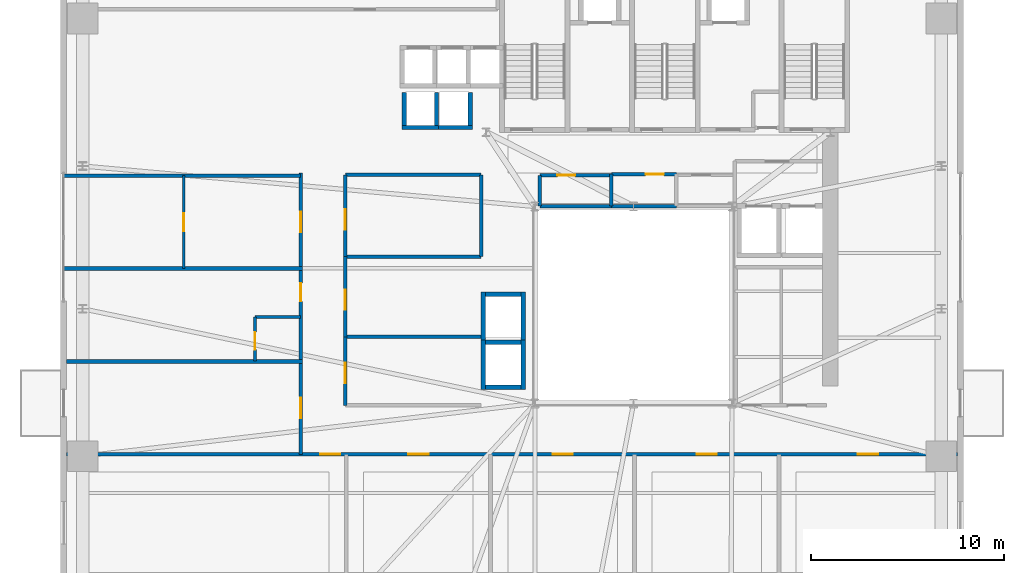
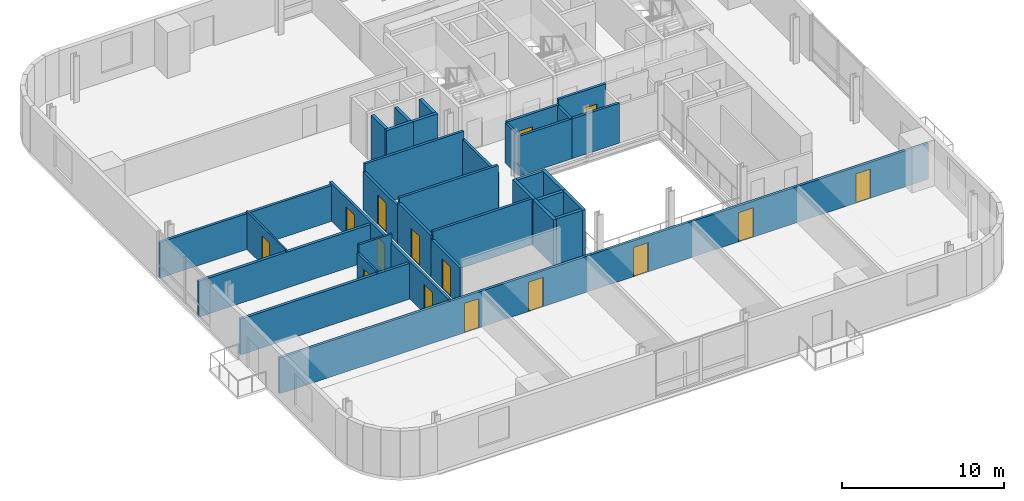
# One storey, part 6 of 13: 33 walls, 15 doors, 15 openings.
"""IFC4 building model written with IfcOpenShell, lengths in metres."""

from ifc_helpers import new_model, si_unit, direction, frame, frame_2d, origin, place, context, subcontext, project, spatial, rectangle, extrude, source, transform, mapped, material, layer, layer_set, type_object, element, fill, save


model = new_model("IFC4")

# Units and contexts
model_context = context("Model", 3, precision=1e-05, world=origin(), true_north=direction((0.0, 1.0)))
body_context = subcontext(model_context, "Body", "Model", "MODEL_VIEW")
ifc_project = project(units=[si_unit("LENGTHUNIT", "METRE"), si_unit("AREAUNIT", "SQUARE_METRE"), si_unit("VOLUMEUNIT", "CUBIC_METRE"), si_unit("PLANEANGLEUNIT", "RADIAN"), si_unit("MASSUNIT", "GRAM", prefix="KILO")], contexts=[model_context])

# Site, building, storey
site_placement = place(None, origin())
site = spatial("IfcSite", under=ifc_project, at=site_placement, CompositionType="ELEMENT")
building_placement = place(site_placement, origin())
building = spatial("IfcBuilding", under=site, at=building_placement, Name="Vardaveli Station Tower", CompositionType="ELEMENT")
storey_placement = place(building_placement, frame((0.0, 0.0, 115.0)))
storey = spatial("IfcBuildingStorey", under=building, at=storey_placement, Name="L29", CompositionType="ELEMENT", Elevation=115.0)

# Walls
ifc_material_1 = material(Name="Concrete C40/50", Category="concrete")
ifc_layer_1 = layer(ifc_material_1, 0.219970703125, Name="Concrete C40/50")
ifc_layer_set_1 = layer_set([ifc_layer_1], Name="Concrete C40/50")
wall_type_1 = type_object("IfcWallType", Name="WAL-FFLOBBY-220", PredefinedType="SOLIDWALL", material=ifc_layer_set_1)
shared_shape_1 = source(origin(), body_context, "Body", "SweptSolid", [
    extrude(rectangle(XDim=1.89013671875, YDim=0.219970703125, at=frame_2d((0.945068359375, 0.0))), origin(), (0.0, 0.0, 1.0), 3.4599609375),
])
for number, where, z_axis, x_axis, name in (
    (1, (24.304931640625, 30.889892578125, 0.0), (0.0, 0.0, 1.0), (1.0, 0.0, 0.0), "SHW-SHU-01-L29-S"),
    (2, (26.054931640625, 30.889892578125, 0.0), (0.0, 0.0, 1.0), (1.0, 0.0, 0.0), "SHW-SHU-02-L29-S"),
):
    element("IfcWall", number, at=place(storey_placement, frame(where, z_axis=z_axis, x_axis=x_axis)), inside=storey, type_object=wall_type_1, Name=name, PredefinedType="SOLIDWALL", context=body_context, shape_type="MappedRepresentation", body=[
        mapped(shared_shape_1, transform((0.0, 0.0, 0.0), scale=1.0)),
    ])
shared_shape_2 = source(origin(), body_context, "Body", "SweptSolid", [
    extrude(rectangle(XDim=1.699951171875, YDim=0.219970703125, at=frame_2d((0.85009765625, 0.0))), origin(), (0.0, 0.0, 1.0), 3.4599609375),
])
for number, where, z_axis, x_axis, name in (
    (3, (24.4150390625, 31.0, 0.0), (0.0, 0.0, 1.0), (0.0, 1.0, 0.0), "SHW-SHU-01-L29-W"),
    (4, (26.0849609375, 31.0, 0.0), (0.0, 0.0, 1.0), (0.0, 1.0, 0.0), "SHW-SHU-01-L29-E"),
    (5, (27.8349609375, 31.0, 0.0), (0.0, 0.0, 1.0), (0.0, 1.0, 0.0), "SHW-SHU-02-L29-E"),
):
    element("IfcWall", number, at=place(storey_placement, frame(where, z_axis=z_axis, x_axis=x_axis)), inside=storey, type_object=wall_type_1, Name=name, PredefinedType="SOLIDWALL", context=body_context, shape_type="MappedRepresentation", body=[
        mapped(shared_shape_2, transform((0.0, 0.0, 0.0), scale=1.0)),
    ])
shared_shape_3 = source(origin(), body_context, "Body", "SweptSolid", [
    extrude(rectangle(XDim=1.85009765625, YDim=0.219970703125, at=frame_2d((0.925048828125, 0.0))), origin(), (0.0, 0.0, 1.0), 3.4599609375),
])
for number, where, z_axis, x_axis, name in (
    (6, (28.625, 17.43994140625, 0.0), (0.0, 0.0, 1.0), (1.0, 0.0, 0.0), "SHW-OBS-01-L29-S"),
    (7, (28.625, 19.760009765625, 0.0), (0.0, 0.0, 1.0), (1.0, 0.0, 0.0), "SHW-OBS-01-L29-N"),
    (8, (28.625, 22.260009765625, 0.0), (0.0, 0.0, 1.0), (1.0, 0.0, 0.0), "SHW-OBS-02-L29-N"),
):
    element("IfcWall", number, at=place(storey_placement, frame(where, z_axis=z_axis, x_axis=x_axis)), inside=storey, type_object=wall_type_1, Name=name, PredefinedType="SOLIDWALL", context=body_context, shape_type="MappedRepresentation", body=[
        mapped(shared_shape_3, transform((0.0, 0.0, 0.0), scale=1.0)),
    ])
shared_shape_4 = source(origin(), body_context, "Body", "SweptSolid", [
    extrude(rectangle(XDim=2.5400390625, YDim=0.219970703125, at=frame_2d((1.27001953125, 0.0))), origin(), (0.0, 0.0, 1.0), 3.4599609375),
])
for number, where, z_axis, x_axis, name in (
    (9, (28.514892578125, 17.330078125, 0.0), (0.0, 0.0, 1.0), (0.0, 1.0, 0.0), "SHW-OBS-01-L29-W"),
    (10, (30.5849609375, 17.330078125, 0.0), (0.0, 0.0, 1.0), (0.0, 1.0, 0.0), "SHW-OBS-01-L29-E"),
    (11, (28.514892578125, 19.830078125, 0.0), (0.0, 0.0, 1.0), (0.0, 1.0, 0.0), "SHW-OBS-02-L29-W"),
    (12, (30.5849609375, 19.830078125, 0.0), (0.0, 0.0, 1.0), (0.0, 1.0, 0.0), "SHW-OBS-02-L29-E"),
):
    element("IfcWall", number, at=place(storey_placement, frame(where, z_axis=z_axis, x_axis=x_axis)), inside=storey, type_object=wall_type_1, Name=name, PredefinedType="SOLIDWALL", context=body_context, shape_type="MappedRepresentation", body=[
        mapped(shared_shape_4, transform((0.0, 0.0, 0.0), scale=1.0)),
    ])

# Wall, openings, doors
ifc_material_2 = material(Name="Fire-rated gypsum stud partition")
ifc_layer_2 = layer(ifc_material_2, 0.179931640625, Name="Fire-rated gypsum stud partition")
ifc_layer_set_2 = layer_set([ifc_layer_2], Name="Fire-rated gypsum stud partition")
wall_type_2 = type_object("IfcWallType", Name="WAL-CORR-180", PredefinedType="PARTITIONING", material=ifc_layer_set_2)
shared_shape_5 = source(origin(), body_context, "Body", "SweptSolid", [
    extrude(rectangle(XDim=46.15576171875, YDim=0.179931640625, at=frame_2d((23.077880859375, 0.0))), origin(), (0.0, 0.0, 1.0), 2.701904296875),
])
wall_1_placement = place(storey_placement, frame((6.922119140625, 13.949951171875, 0.0), z_axis=(0.0, 0.0, 1.0), x_axis=(1.0, 0.0, 0.0)))
wall_1 = element("IfcWall", 13, at=wall_1_placement, inside=storey, type_object=wall_type_2, Name="W-L29-CS", PredefinedType="PARTITIONING", context=body_context, shape_type="MappedRepresentation", body=[
    mapped(shared_shape_5, transform((0.0, 0.0, 0.0), scale=1.0)),
])
shared_shape_6 = source(origin(), body_context, "Body", "SweptSolid", [
    extrude(rectangle(XDim=1.050048828125, YDim=2.199951171875, at=frame_2d((0.52490234375, 1.10009765625))), frame((0.0, 0.10009765625, 0.0), z_axis=(0.0, -1.0, 0.0), x_axis=(1.0, 0.0, 0.0)), (0.0, 0.0, 1.0), 0.199951171875),
])
opening_1_placement = place(wall_1_placement, frame((13.137939453125, 0.0, 0.0)))
opening_1 = element("IfcOpeningElement", 14, at=opening_1_placement, cuts=wall_1, Name="Opening D-05", PredefinedType="OPENING", context=body_context, shape_type="MappedRepresentation", body=[
    mapped(shared_shape_6, transform((0.0, 0.0, 0.0), scale=1.0)),
])
opening_2_placement = place(wall_1_placement, frame((17.70458984375, 0.0, 0.0)))
opening_2 = element("IfcOpeningElement", 15, at=opening_2_placement, cuts=wall_1, Name="Opening D-05", PredefinedType="OPENING", context=body_context, shape_type="MappedRepresentation", body=[
    mapped(shared_shape_6, transform((0.0, 0.0, 0.0), scale=1.0)),
])
opening_3_placement = place(wall_1_placement, frame((25.177978515625, 0.0, 0.0)))
opening_3 = element("IfcOpeningElement", 16, at=opening_3_placement, cuts=wall_1, Name="Opening D-05", PredefinedType="OPENING", context=body_context, shape_type="MappedRepresentation", body=[
    mapped(shared_shape_6, transform((0.0, 0.0, 0.0), scale=1.0)),
])
opening_4_placement = place(wall_1_placement, frame((32.6513671875, 0.0, 0.0)))
opening_4 = element("IfcOpeningElement", 17, at=opening_4_placement, cuts=wall_1, Name="Opening D-05", PredefinedType="OPENING", context=body_context, shape_type="MappedRepresentation", body=[
    mapped(shared_shape_6, transform((0.0, 0.0, 0.0), scale=1.0)),
])
opening_5_placement = place(wall_1_placement, frame((40.998046875, 0.0, 0.0)))
opening_5 = element("IfcOpeningElement", 18, at=opening_5_placement, cuts=wall_1, Name="Opening D-05", PredefinedType="OPENING", context=body_context, shape_type="MappedRepresentation", body=[
    mapped(shared_shape_6, transform((0.0, 0.0, 0.0), scale=1.0)),
])
ifc_material_3 = material(Name="Walnut veneer acoustic fire door")
door_type_1 = type_object("IfcDoorType", Name="DR-SUITE-1050x2200", OperationType="NOTDEFINED", PredefinedType="DOOR", material=ifc_material_3)
shared_shape_7 = source(origin(), body_context, "Body", "SweptSolid", [
    extrude(rectangle(XDim=1.050048828125, YDim=2.199951171875, at=frame_2d((0.52490234375, 1.10009765625))), frame((0.0, 0.02490234375, 0.0), z_axis=(0.0, -1.0, 0.0), x_axis=(1.0, 0.0, 0.0)), (0.0, 0.0, 1.0), 0.050048828125),
])
door_1_placement = place(opening_1_placement, origin())
door_1 = element("IfcDoor", 19, at=door_1_placement, inside=storey, type_object=door_type_1, Name="D-L29-SA1", OperationType="SINGLE_SWING_RIGHT", OverallHeight=2.199951171875, OverallWidth=1.050048828125, PredefinedType="DOOR", context=body_context, shape_type="MappedRepresentation", body=[
    mapped(shared_shape_7, transform((0.0, 0.0, 0.0), scale=1.0)),
])
fill(opening_1, door_1)
door_2_placement = place(opening_2_placement, origin())
door_2 = element("IfcDoor", 20, at=door_2_placement, inside=storey, type_object=door_type_1, Name="D-L29-SA2", OperationType="SINGLE_SWING_LEFT", OverallHeight=2.199951171875, OverallWidth=1.050048828125, PredefinedType="DOOR", context=body_context, shape_type="MappedRepresentation", body=[
    mapped(shared_shape_7, transform((0.0, 0.0, 0.0), scale=1.0)),
])
fill(opening_2, door_2)
door_3_placement = place(opening_3_placement, origin())
door_3 = element("IfcDoor", 21, at=door_3_placement, inside=storey, type_object=door_type_1, Name="D-L29-SA3", OperationType="SINGLE_SWING_RIGHT", OverallHeight=2.199951171875, OverallWidth=1.050048828125, PredefinedType="DOOR", context=body_context, shape_type="MappedRepresentation", body=[
    mapped(shared_shape_7, transform((0.0, 0.0, 0.0), scale=1.0)),
])
fill(opening_3, door_3)
door_4_placement = place(opening_4_placement, origin())
door_4 = element("IfcDoor", 22, at=door_4_placement, inside=storey, type_object=door_type_1, Name="D-L29-SA4", OperationType="SINGLE_SWING_LEFT", OverallHeight=2.199951171875, OverallWidth=1.050048828125, PredefinedType="DOOR", context=body_context, shape_type="MappedRepresentation", body=[
    mapped(shared_shape_7, transform((0.0, 0.0, 0.0), scale=1.0)),
])
fill(opening_4, door_4)
door_5_placement = place(opening_5_placement, origin())
door_5 = element("IfcDoor", 23, at=door_5_placement, inside=storey, type_object=door_type_1, Name="D-L29-SA5", OperationType="SINGLE_SWING_RIGHT", OverallHeight=2.199951171875, OverallWidth=1.050048828125, PredefinedType="DOOR", context=body_context, shape_type="MappedRepresentation", body=[
    mapped(shared_shape_7, transform((0.0, 0.0, 0.0), scale=1.0)),
])
fill(opening_5, door_5)

# Wall
ifc_material_4 = material(Name="Moisture-resistant stud partition")
ifc_layer_3 = layer(ifc_material_4, 0.14990234375, Name="Moisture-resistant stud partition")
ifc_layer_set_3 = layer_set([ifc_layer_3], Name="Moisture-resistant stud partition")
wall_type_3 = type_object("IfcWallType", Name="WAL-WET-150", PredefinedType="PARTITIONING", material=ifc_layer_set_3)
shared_shape_8 = source(origin(), body_context, "Body", "SweptSolid", [
    extrude(rectangle(XDim=2.360107421875, YDim=0.14990234375, at=frame_2d((1.18017578125, 0.0))), origin(), (0.0, 0.0, 1.0), 3.4599609375),
])
wall_2_placement = place(storey_placement, frame((16.679931640625, 21.076904296875, 0.0), z_axis=(0.0, 0.0, 1.0), x_axis=(1.0, 0.0, 0.0)))
element("IfcWall", 24, at=wall_2_placement, inside=storey, type_object=wall_type_3, Name="W-L29-BW2-N", PredefinedType="PARTITIONING", context=body_context, shape_type="MappedRepresentation", body=[
    mapped(shared_shape_8, transform((0.0, 0.0, 0.0), scale=1.0)),
])

# Wall, openings, doors
shared_shape_9 = source(origin(), body_context, "Body", "SweptSolid", [
    extrude(rectangle(XDim=14.60009765625, YDim=0.179931640625, at=frame_2d((7.300048828125, 0.0))), origin(), (0.0, 0.0, 1.0), 2.85205078125),
])
wall_3_placement = place(storey_placement, frame((19.0400390625, 13.949951171875, 0.0), z_axis=(0.0, 0.0, 1.0), x_axis=(0.0, 1.0, 0.0)))
wall_3 = element("IfcWall", 25, at=wall_3_placement, inside=storey, type_object=wall_type_2, Name="W-L29-CW", PredefinedType="PARTITIONING", context=body_context, shape_type="MappedRepresentation", body=[
    mapped(shared_shape_9, transform((0.0, 0.0, 0.0), scale=1.0)),
])
opening_6_placement = place(wall_3_placement, frame((1.888427734375, 0.0, 0.0)))
opening_6 = element("IfcOpeningElement", 26, at=opening_6_placement, cuts=wall_3, Name="Opening D-05", PredefinedType="OPENING", context=body_context, shape_type="MappedRepresentation", body=[
    mapped(shared_shape_6, transform((0.0, 0.0, 0.0), scale=1.0)),
])
shared_shape_10 = source(origin(), body_context, "Body", "SweptSolid", [
    extrude(rectangle(XDim=0.949951171875, YDim=2.14990234375, at=frame_2d((0.47509765625, 1.074951171875))), frame((0.0, 0.10009765625, 0.0), z_axis=(0.0, -1.0, 0.0), x_axis=(1.0, 0.0, 0.0)), (0.0, 0.0, 1.0), 0.199951171875),
])
opening_7_placement = place(wall_3_placement, frame((7.929931640625, 0.0, 0.0)))
opening_7 = element("IfcOpeningElement", 27, at=opening_7_placement, cuts=wall_3, Name="Opening D-06", PredefinedType="OPENING", context=body_context, shape_type="MappedRepresentation", body=[
    mapped(shared_shape_10, transform((0.0, 0.0, 0.0), scale=1.0)),
])
opening_8_placement = place(wall_3_placement, frame((11.521728515625, 0.0, 0.0)))
opening_8 = element("IfcOpeningElement", 28, at=opening_8_placement, cuts=wall_3, Name="Opening D-05", PredefinedType="OPENING", context=body_context, shape_type="MappedRepresentation", body=[
    mapped(shared_shape_6, transform((0.0, 0.0, 0.0), scale=1.0)),
])
door_6_placement = place(opening_6_placement, origin())
door_6 = element("IfcDoor", 29, at=door_6_placement, inside=storey, type_object=door_type_1, Name="D-L29-GW1", OperationType="SINGLE_SWING_LEFT", OverallHeight=2.199951171875, OverallWidth=1.050048828125, PredefinedType="DOOR", context=body_context, shape_type="MappedRepresentation", body=[
    mapped(shared_shape_7, transform((0.0, 0.0, 0.0), scale=1.0)),
])
fill(opening_6, door_6)
door_7_placement = place(opening_8_placement, origin())
door_7 = element("IfcDoor", 30, at=door_7_placement, inside=storey, type_object=door_type_1, Name="D-L29-GW3", OperationType="SINGLE_SWING_LEFT", OverallHeight=2.199951171875, OverallWidth=1.050048828125, PredefinedType="DOOR", context=body_context, shape_type="MappedRepresentation", body=[
    mapped(shared_shape_7, transform((0.0, 0.0, 0.0), scale=1.0)),
])
fill(opening_8, door_7)
ifc_material_5 = material(Name="Oak veneer acoustic fire door")
door_type_2 = type_object("IfcDoorType", Name="DR-GUEST-950x2150", OperationType="NOTDEFINED", PredefinedType="DOOR", material=ifc_material_5)
shared_shape_11 = source(origin(), body_context, "Body", "SweptSolid", [
    extrude(rectangle(XDim=0.949951171875, YDim=2.14990234375, at=frame_2d((0.47509765625, 1.074951171875))), frame((0.0, 0.02490234375, 0.0), z_axis=(0.0, -1.0, 0.0), x_axis=(1.0, 0.0, 0.0)), (0.0, 0.0, 1.0), 0.050048828125),
])
door_8_placement = place(opening_7_placement, origin())
door_8 = element("IfcDoor", 31, at=door_8_placement, inside=storey, type_object=door_type_2, Name="D-L29-GW2", OperationType="SINGLE_SWING_RIGHT", OverallHeight=2.14990234375, OverallWidth=0.949951171875, PredefinedType="DOOR", context=body_context, shape_type="MappedRepresentation", body=[
    mapped(shared_shape_11, transform((0.0, 0.0, 0.0), scale=1.0)),
])
fill(opening_7, door_8)

# Wall, opening, door
ifc_material_6 = material(Name="Gypsum board stud partition")
ifc_layer_4 = layer(ifc_material_6, 0.125, Name="Gypsum board stud partition")
ifc_layer_set_4 = layer_set([ifc_layer_4], Name="Gypsum board stud partition")
wall_type_4 = type_object("IfcWallType", Name="WAL-INT-125", PredefinedType="PARTITIONING", material=ifc_layer_set_4)
shared_shape_12 = source(origin(), body_context, "Body", "SweptSolid", [
    extrude(rectangle(XDim=4.81689453125, YDim=0.125, at=frame_2d((2.408447265625, 0.0))), origin(), (0.0, 0.0, 1.0), 2.85205078125),
])
wall_4_placement = place(storey_placement, frame((12.9951171875, 23.5830078125, 0.0), z_axis=(0.0, 0.0, 1.0), x_axis=(0.0, 1.0, 0.0)))
wall_4 = element("IfcWall", 32, at=wall_4_placement, inside=storey, type_object=wall_type_4, Name="W-L29-WCM3", PredefinedType="PARTITIONING", context=body_context, shape_type="MappedRepresentation", body=[
    mapped(shared_shape_12, transform((0.0, 0.0, 0.0), scale=1.0)),
])
shared_shape_13 = source(origin(), body_context, "Body", "SweptSolid", [
    extrude(rectangle(XDim=0.949951171875, YDim=2.14990234375, at=frame_2d((0.47509765625, 1.074951171875))), frame((0.0, 0.072509765625, 0.0), z_axis=(0.0, -1.0, 0.0), x_axis=(1.0, 0.0, 0.0)), (0.0, 0.0, 1.0), 0.14501953125),
])
opening_9_placement = place(wall_4_placement, frame((1.92822265625, 0.0, 0.0)))
opening_9 = element("IfcOpeningElement", 33, at=opening_9_placement, cuts=wall_4, Name="Opening D-11", PredefinedType="OPENING", context=body_context, shape_type="MappedRepresentation", body=[
    mapped(shared_shape_13, transform((0.0, 0.0, 0.0), scale=1.0)),
])
ifc_material_7 = material(Name="Oak veneer internal suite door")
door_type_3 = type_object("IfcDoorType", Name="DR-INT-950x2150", OperationType="NOTDEFINED", PredefinedType="DOOR", material=ifc_material_7)
door_9_placement = place(opening_9_placement, origin())
door_9 = element("IfcDoor", 34, at=door_9_placement, inside=storey, type_object=door_type_3, Name="D-L29-GWF3", OperationType="SINGLE_SWING_RIGHT", OverallHeight=2.14990234375, OverallWidth=0.949951171875, PredefinedType="DOOR", context=body_context, shape_type="MappedRepresentation", body=[
    mapped(shared_shape_11, transform((0.0, 0.0, 0.0), scale=1.0)),
])
fill(opening_9, door_9)

shared_shape_14 = source(origin(), body_context, "Body", "SweptSolid", [
    extrude(rectangle(XDim=4.239990234375, YDim=0.179931640625, at=frame_2d((2.1201171875, 0.0))), origin(), (0.0, 0.0, 1.0), 2.85205078125),
])
wall_5_placement = place(storey_placement, frame((21.360107421875, 24.199951171875, 0.0), z_axis=(0.0, 0.0, 1.0), x_axis=(0.0, 1.0, 0.0)))
wall_5 = element("IfcWall", 35, at=wall_5_placement, inside=storey, type_object=wall_type_2, Name="W-L29-ATWC-W", PredefinedType="PARTITIONING", context=body_context, shape_type="MappedRepresentation", body=[
    mapped(shared_shape_14, transform((0.0, 0.0, 0.0), scale=1.0)),
])
opening_10_placement = place(wall_5_placement, frame((1.39990234375, 0.0, 0.0)))
opening_10 = element("IfcOpeningElement", 36, at=opening_10_placement, cuts=wall_5, Name="Opening D-05", PredefinedType="OPENING", context=body_context, shape_type="MappedRepresentation", body=[
    mapped(shared_shape_6, transform((0.0, 0.0, 0.0), scale=1.0)),
])
door_10_placement = place(opening_10_placement, origin())
door_10 = element("IfcDoor", 37, at=door_10_placement, inside=storey, type_object=door_type_1, Name="D-L29-ATW3", OperationType="SINGLE_SWING_RIGHT", OverallHeight=2.199951171875, OverallWidth=1.050048828125, PredefinedType="DOOR", context=body_context, shape_type="MappedRepresentation", body=[
    mapped(shared_shape_7, transform((0.0, 0.0, 0.0), scale=1.0)),
])
fill(opening_10, door_10)

# Wall
wall_6_placement = place(storey_placement, frame((28.39990234375, 24.199951171875, 0.0), z_axis=(0.0, 0.0, 1.0), x_axis=(0.0, 1.0, 0.0)))
element("IfcWall", 38, at=wall_6_placement, inside=storey, type_object=wall_type_2, Name="W-L29-ATWC-E", PredefinedType="PARTITIONING", context=body_context, shape_type="MappedRepresentation", body=[
    mapped(shared_shape_14, transform((0.0, 0.0, 0.0), scale=1.0)),
])

# Wall, opening, door
shared_shape_15 = source(origin(), body_context, "Body", "SweptSolid", [
    extrude(rectangle(XDim=4.14990234375, YDim=0.179931640625, at=frame_2d((2.074951171875, 0.0))), origin(), (0.0, 0.0, 1.0), 3.1220703125),
])
wall_7_placement = place(storey_placement, frame((21.360107421875, 20.050048828125, 0.0), z_axis=(0.0, 0.0, 1.0), x_axis=(0.0, 1.0, 0.0)))
wall_7 = element("IfcWall", 39, at=wall_7_placement, inside=storey, type_object=wall_type_2, Name="W-L29-ATWB-W", PredefinedType="PARTITIONING", context=body_context, shape_type="MappedRepresentation", body=[
    mapped(shared_shape_15, transform((0.0, 0.0, 0.0), scale=1.0)),
])
opening_11_placement = place(wall_7_placement, frame((1.39990234375, 0.0, 0.0)))
opening_11 = element("IfcOpeningElement", 40, at=opening_11_placement, cuts=wall_7, Name="Opening D-05", PredefinedType="OPENING", context=body_context, shape_type="MappedRepresentation", body=[
    mapped(shared_shape_6, transform((0.0, 0.0, 0.0), scale=1.0)),
])
door_11_placement = place(opening_11_placement, origin())
door_11 = element("IfcDoor", 41, at=door_11_placement, inside=storey, type_object=door_type_1, Name="D-L29-ATW2", OperationType="SINGLE_SWING_LEFT", OverallHeight=2.199951171875, OverallWidth=1.050048828125, PredefinedType="DOOR", context=body_context, shape_type="MappedRepresentation", body=[
    mapped(shared_shape_7, transform((0.0, 0.0, 0.0), scale=1.0)),
])
fill(opening_11, door_11)

shared_shape_16 = source(origin(), body_context, "Body", "SweptSolid", [
    extrude(rectangle(XDim=3.699951171875, YDim=0.179931640625, at=frame_2d((1.85009765625, 0.0))), origin(), (0.0, 0.0, 1.0), 3.092041015625),
])
wall_8_placement = place(storey_placement, frame((31.449951171875, 28.419921875, 0.0), z_axis=(0.0, 0.0, 1.0), x_axis=(1.0, 0.0, 0.0)))
wall_8 = element("IfcWall", 42, at=wall_8_placement, inside=storey, type_object=wall_type_2, Name="W-L29-CS2A-N", PredefinedType="PARTITIONING", context=body_context, shape_type="MappedRepresentation", body=[
    mapped(shared_shape_16, transform((0.0, 0.0, 0.0), scale=1.0)),
])
shared_shape_17 = source(origin(), body_context, "Body", "SweptSolid", [
    extrude(rectangle(XDim=0.919921875, YDim=2.10009765625, at=frame_2d((0.4599609375, 1.050048828125))), frame((0.0, 0.10009765625, 0.0), z_axis=(0.0, -1.0, 0.0), x_axis=(1.0, 0.0, 0.0)), (0.0, 0.0, 1.0), 0.199951171875),
])
opening_12_placement = place(wall_8_placement, frame((0.89990234375, 0.0, 0.0)))
opening_12 = element("IfcOpeningElement", 43, at=opening_12_placement, cuts=wall_8, Name="Opening D-07", PredefinedType="OPENING", context=body_context, shape_type="MappedRepresentation", body=[
    mapped(shared_shape_17, transform((0.0, 0.0, 0.0), scale=1.0)),
])
ifc_material_8 = material(Name="Moisture-resistant hardwood door", Category="wood")
door_type_4 = type_object("IfcDoorType", Name="DR-WC-920x2100", OperationType="NOTDEFINED", PredefinedType="DOOR", material=ifc_material_8)
shared_shape_18 = source(origin(), body_context, "Body", "SweptSolid", [
    extrude(rectangle(XDim=0.919921875, YDim=2.10009765625, at=frame_2d((0.4599609375, 1.050048828125))), frame((0.0, 0.02490234375, 0.0), z_axis=(0.0, -1.0, 0.0), x_axis=(1.0, 0.0, 0.0)), (0.0, 0.0, 1.0), 0.050048828125),
])
door_12_placement = place(opening_12_placement, origin())
door_12 = element("IfcDoor", 44, at=door_12_placement, inside=storey, type_object=door_type_4, Name="D-L29-CS2A", OperationType="SINGLE_SWING_RIGHT", OverallHeight=2.10009765625, OverallWidth=0.919921875, PredefinedType="DOOR", context=body_context, shape_type="MappedRepresentation", body=[
    mapped(shared_shape_18, transform((0.0, 0.0, 0.0), scale=1.0)),
])
fill(opening_12, door_12)

shared_shape_19 = source(origin(), body_context, "Body", "SweptSolid", [
    extrude(rectangle(XDim=3.550048828125, YDim=0.179931640625, at=frame_2d((1.77490234375, 0.0))), origin(), (0.0, 0.0, 1.0), 2.85205078125),
])
wall_9_placement = place(storey_placement, frame((21.360107421875, 16.5, 0.0), z_axis=(0.0, 0.0, 1.0), x_axis=(0.0, 1.0, 0.0)))
wall_9 = element("IfcWall", 45, at=wall_9_placement, inside=storey, type_object=wall_type_2, Name="W-L29-ATWA-W", PredefinedType="PARTITIONING", context=body_context, shape_type="MappedRepresentation", body=[
    mapped(shared_shape_19, transform((0.0, 0.0, 0.0), scale=1.0)),
])
opening_13_placement = place(wall_9_placement, frame((1.14990234375, 0.0, 0.0)))
opening_13 = element("IfcOpeningElement", 46, at=opening_13_placement, cuts=wall_9, Name="Opening D-05", PredefinedType="OPENING", context=body_context, shape_type="MappedRepresentation", body=[
    mapped(shared_shape_6, transform((0.0, 0.0, 0.0), scale=1.0)),
])
door_13_placement = place(opening_13_placement, origin())
door_13 = element("IfcDoor", 47, at=door_13_placement, inside=storey, type_object=door_type_1, Name="D-L29-ATW1", OperationType="SINGLE_SWING_LEFT", OverallHeight=2.199951171875, OverallWidth=1.050048828125, PredefinedType="DOOR", context=body_context, shape_type="MappedRepresentation", body=[
    mapped(shared_shape_7, transform((0.0, 0.0, 0.0), scale=1.0)),
])
fill(opening_13, door_13)

shared_shape_20 = source(origin(), body_context, "Body", "SweptSolid", [
    extrude(rectangle(XDim=3.3701171875, YDim=0.179931640625, at=frame_2d((1.68505859375, 0.0))), origin(), (0.0, 0.0, 1.0), 3.4599609375),
])
wall_10_placement = place(storey_placement, frame((35.14990234375, 28.47998046875, 0.0), z_axis=(0.0, 0.0, 1.0), x_axis=(1.0, 0.0, 0.0)))
wall_10 = element("IfcWall", 48, at=wall_10_placement, inside=storey, type_object=wall_type_2, Name="W-L29-HKP2-N", PredefinedType="PARTITIONING", context=body_context, shape_type="MappedRepresentation", body=[
    mapped(shared_shape_20, transform((0.0, 0.0, 0.0), scale=1.0)),
])
opening_14_placement = place(wall_10_placement, frame((1.77490234375, 0.0, 0.0)))
opening_14 = element("IfcOpeningElement", 49, at=opening_14_placement, cuts=wall_10, Name="Opening D-06", PredefinedType="OPENING", context=body_context, shape_type="MappedRepresentation", body=[
    mapped(shared_shape_10, transform((0.0, 0.0, 0.0), scale=1.0)),
])
door_14_placement = place(opening_14_placement, origin())
door_14 = element("IfcDoor", 50, at=door_14_placement, inside=storey, type_object=door_type_2, Name="D-L29-HKP", OperationType="SINGLE_SWING_LEFT", OverallHeight=2.14990234375, OverallWidth=0.949951171875, PredefinedType="DOOR", context=body_context, shape_type="MappedRepresentation", body=[
    mapped(shared_shape_11, transform((0.0, 0.0, 0.0), scale=1.0)),
])
fill(opening_14, door_14)

shared_shape_21 = source(origin(), body_context, "Body", "SweptSolid", [
    extrude(rectangle(XDim=2.289794921875, YDim=0.14990234375, at=frame_2d((1.14501953125, 0.0))), origin(), (0.0, 0.0, 1.0), 2.85205078125),
])
wall_11_placement = place(storey_placement, frame((16.679931640625, 18.787109375, 0.0), z_axis=(0.0, 0.0, 1.0), x_axis=(0.0, 1.0, 0.0)))
wall_11 = element("IfcWall", 51, at=wall_11_placement, inside=storey, type_object=wall_type_3, Name="W-L29-BW2-W", PredefinedType="PARTITIONING", context=body_context, shape_type="MappedRepresentation", body=[
    mapped(shared_shape_21, transform((0.0, 0.0, 0.0), scale=1.0)),
])
shared_shape_22 = source(origin(), body_context, "Body", "SweptSolid", [
    extrude(rectangle(XDim=0.89990234375, YDim=2.10009765625, at=frame_2d((0.449951171875, 1.050048828125))), frame((0.0, 0.0849609375, 0.0), z_axis=(0.0, -1.0, 0.0), x_axis=(1.0, 0.0, 0.0)), (0.0, 0.0, 1.0), 0.169921875),
])
opening_15_placement = place(wall_11_placement, frame((0.60009765625, 0.0, 0.0)))
opening_15 = element("IfcOpeningElement", 52, at=opening_15_placement, cuts=wall_11, Name="Opening D-08", PredefinedType="OPENING", context=body_context, shape_type="MappedRepresentation", body=[
    mapped(shared_shape_22, transform((0.0, 0.0, 0.0), scale=1.0)),
])
ifc_material_9 = material(Name="Moisture-resistant oak door")
door_type_5 = type_object("IfcDoorType", Name="DR-BATH-900x2100", OperationType="NOTDEFINED", PredefinedType="DOOR", material=ifc_material_9)
shared_shape_23 = source(origin(), body_context, "Body", "SweptSolid", [
    extrude(rectangle(XDim=0.89990234375, YDim=2.10009765625, at=frame_2d((0.449951171875, 1.050048828125))), frame((0.0, 0.02490234375, 0.0), z_axis=(0.0, -1.0, 0.0), x_axis=(1.0, 0.0, 0.0)), (0.0, 0.0, 1.0), 0.050048828125),
])
door_15_placement = place(opening_15_placement, origin())
door_15 = element("IfcDoor", 53, at=door_15_placement, inside=storey, type_object=door_type_5, Name="D-L29-BW2", OperationType="SINGLE_SWING_LEFT", OverallHeight=2.10009765625, OverallWidth=0.89990234375, PredefinedType="DOOR", context=body_context, shape_type="MappedRepresentation", body=[
    mapped(shared_shape_23, transform((0.0, 0.0, 0.0), scale=1.0)),
])
fill(opening_15, door_15)

# Walls
ifc_material_10 = material(Name="Acoustic twin-stud gypsum partition")
ifc_layer_5 = layer(ifc_material_10, 0.199951171875, Name="Acoustic twin-stud gypsum partition")
ifc_layer_set_5 = layer_set([ifc_layer_5], Name="Acoustic twin-stud gypsum partition")
wall_type_5 = type_object("IfcWallType", Name="WAL-PARTY-200", PredefinedType="PARTITIONING", material=ifc_layer_set_5)
shared_shape_24 = source(origin(), body_context, "Body", "SweptSolid", [
    extrude(rectangle(XDim=12.2177734375, YDim=0.199951171875, at=frame_2d((6.10888671875, 0.0))), origin(), (0.0, 0.0, 1.0), 2.701904296875),
])
wall_12_placement = place(storey_placement, frame((6.922119140625, 18.76708984375, 0.0), z_axis=(0.0, 0.0, 1.0), x_axis=(1.0, 0.0, 0.0)))
element("IfcWall", 54, at=wall_12_placement, inside=storey, type_object=wall_type_5, Name="W-L29-PW1", PredefinedType="PARTITIONING", context=body_context, shape_type="MappedRepresentation", body=[
    mapped(shared_shape_24, transform((0.0, 0.0, 0.0), scale=1.0)),
])
shared_shape_25 = source(origin(), body_context, "Body", "SweptSolid", [
    extrude(rectangle(XDim=12.409912109375, YDim=0.199951171875, at=frame_2d((6.205078125, 0.0))), origin(), (0.0, 0.0, 1.0), 2.701904296875),
])
wall_13_placement = place(storey_placement, frame((6.72998046875, 23.5830078125, 0.0), z_axis=(0.0, 0.0, 1.0), x_axis=(1.0, 0.0, 0.0)))
element("IfcWall", 55, at=wall_13_placement, inside=storey, type_object=wall_type_5, Name="W-L29-PW2", PredefinedType="PARTITIONING", context=body_context, shape_type="MappedRepresentation", body=[
    mapped(shared_shape_25, transform((0.0, 0.0, 0.0), scale=1.0)),
])
shared_shape_26 = source(origin(), body_context, "Body", "SweptSolid", [
    extrude(rectangle(XDim=12.31005859375, YDim=0.179931640625, at=frame_2d((6.155029296875, 0.0))), origin(), (0.0, 0.0, 1.0), 2.701904296875),
])
wall_14_placement = place(storey_placement, frame((6.72998046875, 28.39990234375, 0.0), z_axis=(0.0, 0.0, 1.0), x_axis=(1.0, 0.0, 0.0)))
element("IfcWall", 56, at=wall_14_placement, inside=storey, type_object=wall_type_2, Name="W-L29-CWN", PredefinedType="PARTITIONING", context=body_context, shape_type="MappedRepresentation", body=[
    mapped(shared_shape_26, transform((0.0, 0.0, 0.0), scale=1.0)),
])
shared_shape_27 = source(origin(), body_context, "Body", "SweptSolid", [
    extrude(rectangle(XDim=7.039794921875, YDim=0.179931640625, at=frame_2d((3.52001953125, 0.0))), origin(), (0.0, 0.0, 1.0), 3.4599609375),
])
for number, where, z_axis, x_axis, name in (
    (57, (21.360107421875, 20.050048828125, 0.0), (0.0, 0.0, 1.0), (1.0, 0.0, 0.0), "W-L29-ATWA-N"),
    (58, (21.360107421875, 24.199951171875, 0.0), (0.0, 0.0, 1.0), (1.0, 0.0, 0.0), "W-L29-ATWB-N"),
    (59, (21.360107421875, 28.43994140625, 0.0), (0.0, 0.0, 1.0), (1.0, 0.0, 0.0), "W-L29-ATWC-N"),
):
    element("IfcWall", number, at=place(storey_placement, frame(where, z_axis=z_axis, x_axis=x_axis)), inside=storey, type_object=wall_type_2, Name=name, PredefinedType="PARTITIONING", context=body_context, shape_type="MappedRepresentation", body=[
        mapped(shared_shape_27, transform((0.0, 0.0, 0.0), scale=1.0)),
    ])
shared_shape_28 = source(origin(), body_context, "Body", "SweptSolid", [
    extrude(rectangle(XDim=3.699951171875, YDim=0.179931640625, at=frame_2d((1.85009765625, 0.0))), origin(), (0.0, 0.0, 1.0), 3.001953125),
])
wall_15_placement = place(storey_placement, frame((31.449951171875, 26.820068359375, 0.0), z_axis=(0.0, 0.0, 1.0), x_axis=(1.0, 0.0, 0.0)))
element("IfcWall", 60, at=wall_15_placement, inside=storey, type_object=wall_type_2, Name="W-L29-CS2A-S", PredefinedType="PARTITIONING", context=body_context, shape_type="MappedRepresentation", body=[
    mapped(shared_shape_28, transform((0.0, 0.0, 0.0), scale=1.0)),
])
shared_shape_29 = source(origin(), body_context, "Body", "SweptSolid", [
    extrude(rectangle(XDim=3.3701171875, YDim=0.179931640625, at=frame_2d((1.68505859375, 0.0))), origin(), (0.0, 0.0, 1.0), 3.001953125),
])
wall_16_placement = place(storey_placement, frame((35.14990234375, 26.820068359375, 0.0), z_axis=(0.0, 0.0, 1.0), x_axis=(1.0, 0.0, 0.0)))
element("IfcWall", 61, at=wall_16_placement, inside=storey, type_object=wall_type_2, Name="W-L29-HKP2-S", PredefinedType="PARTITIONING", context=body_context, shape_type="MappedRepresentation", body=[
    mapped(shared_shape_29, transform((0.0, 0.0, 0.0), scale=1.0)),
])
shared_shape_30 = source(origin(), body_context, "Body", "SweptSolid", [
    extrude(rectangle(XDim=1.659912109375, YDim=0.179931640625, at=frame_2d((0.830078125, 0.0))), origin(), (0.0, 0.0, 1.0), 3.001953125),
])
wall_17_placement = place(storey_placement, frame((35.14990234375, 26.820068359375, 0.0), z_axis=(0.0, 0.0, 1.0), x_axis=(0.0, 1.0, 0.0)))
element("IfcWall", 62, at=wall_17_placement, inside=storey, type_object=wall_type_2, Name="W-L29-HKP2-W", PredefinedType="PARTITIONING", context=body_context, shape_type="MappedRepresentation", body=[
    mapped(shared_shape_30, transform((0.0, 0.0, 0.0), scale=1.0)),
])
shared_shape_31 = source(origin(), body_context, "Body", "SweptSolid", [
    extrude(rectangle(XDim=1.599853515625, YDim=0.179931640625, at=frame_2d((0.7998046875, 0.0))), origin(), (0.0, 0.0, 1.0), 3.001953125),
])
wall_18_placement = place(storey_placement, frame((31.449951171875, 26.820068359375, 0.0), z_axis=(0.0, 0.0, 1.0), x_axis=(0.0, 1.0, 0.0)))
element("IfcWall", 63, at=wall_18_placement, inside=storey, type_object=wall_type_2, Name="W-L29-CS2A-W", PredefinedType="PARTITIONING", context=body_context, shape_type="MappedRepresentation", body=[
    mapped(shared_shape_31, transform((0.0, 0.0, 0.0), scale=1.0)),
])

save(model, "model.ifc")
